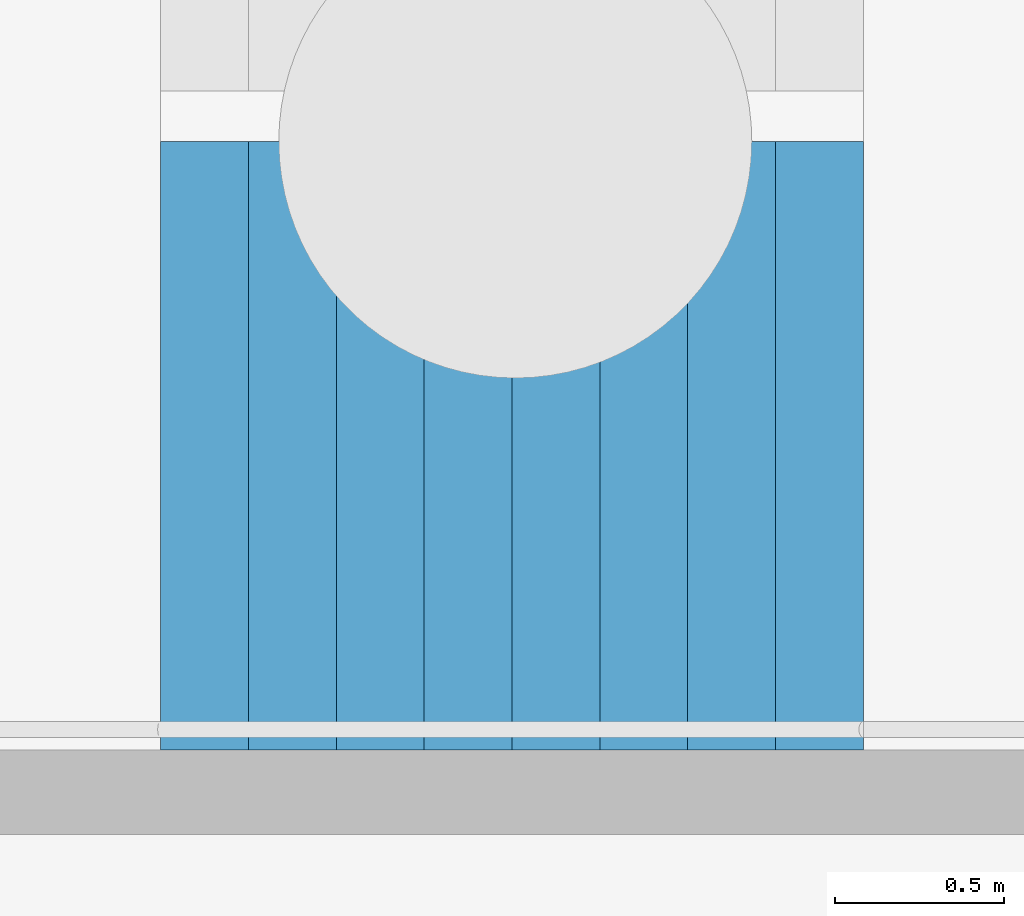
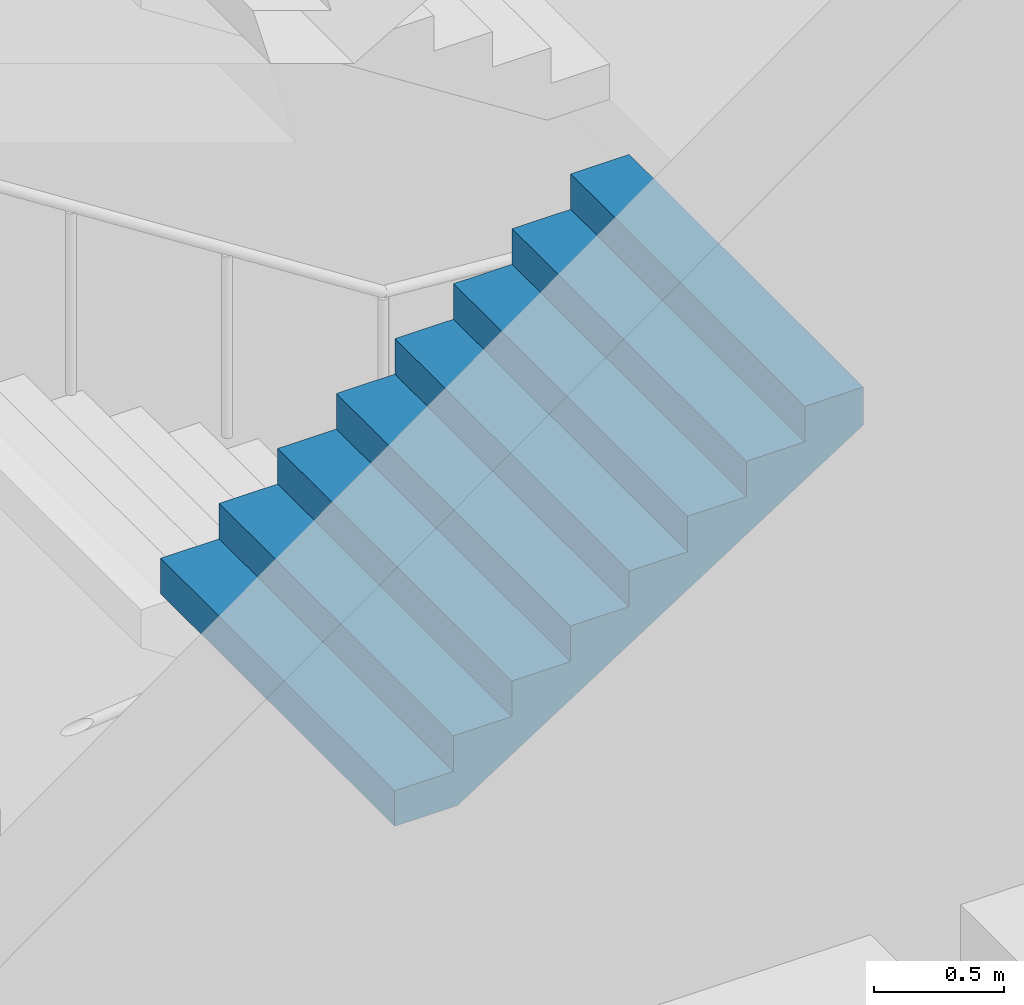
# One storey, part 59 of 113: 1 stair flight, 1 element without a shape of its own.
"""IFC4 building model written with IfcOpenShell, lengths in metres."""

import ifcopenshell
import ifcopenshell.guid

model = None  # the IFC model being written
_history = None  # IfcOwnerHistory: only IFC2X3 demands one
_inside = {}  # id of a spatial element -> (the spatial element, [elements in it])
_under = {}  # id of a project, library or spatial element -> (it, [spatial elements below it])
_declared = {}  # id of a project -> (the project, [libraries it declares])
_typed = {}  # id of a type object -> (the type object, [elements of that type])
_made_of = {}  # id of a material, layer set ... -> (it, [elements and type objects made of it])


def new_model(schema):
    """Start an empty IFC model of exactly this schema.

    Asked for "IFC4X3", IfcOpenShell would pick the latest addendum, in which some entities
    have other attributes; the version numbers below select the first issue.
    IFC2X3 requires an IfcOwnerHistory on every rooted entity: one is made here for all.
    """
    global model, _history
    if schema == "IFC4X3":
        model = ifcopenshell.file(schema_version=(4, 3, 0, 0))
    else:
        model = ifcopenshell.file(schema=schema)
    _inside.clear()
    _under.clear()
    _declared.clear()
    _typed.clear()
    _made_of.clear()
    _history = None
    if model.schema == "IFC2X3":
        org = make("IfcOrganization", Name="unknown")
        user = make(
            "IfcPersonAndOrganization",
            ThePerson=make("IfcPerson", FamilyName="unknown"),
            TheOrganization=org,
        )
        app = make(
            "IfcApplication",
            ApplicationDeveloper=org,
            Version="unknown",
            ApplicationFullName="unknown",
            ApplicationIdentifier="unknown",
        )
        _history = make(
            "IfcOwnerHistory",
            OwningUser=user,
            OwningApplication=app,
            ChangeAction="ADDED",
            CreationDate=0,
        )
    return model


def make(cls, **values):
    """One entity of the class cls with the attributes given. An attribute that is None is left unset."""
    return model.create_entity(
        cls, **{name: value for name, value in values.items() if value is not None}
    )


def rooted(cls, **values):
    """An entity with a GlobalId (a new one), such as an element, a storey or a relation."""
    return make(cls, GlobalId=ifcopenshell.guid.new(), OwnerHistory=_history, **values)


def si_unit(unit_type, name, prefix=None):
    """IfcSIUnit, for example si_unit("LENGTHUNIT", "METRE", prefix="MILLI")."""
    return make("IfcSIUnit", UnitType=unit_type, Prefix=prefix, Name=name)


def assignment(units):
    """IfcUnitAssignment: the units of a project."""
    return None if units is None else make("IfcUnitAssignment", Units=units)


def point(xyz):
    """IfcCartesianPoint."""
    return None if xyz is None else make("IfcCartesianPoint", Coordinates=xyz)


def direction(xyz):
    """IfcDirection."""
    return None if xyz is None else make("IfcDirection", DirectionRatios=xyz)


def frame(location, z_axis=None, x_axis=None):
    """IfcAxis2Placement3D, a coordinate frame: its origin and axes. An axis left out is left unset."""
    return make(
        "IfcAxis2Placement3D",
        Location=point(location),
        Axis=direction(z_axis),
        RefDirection=direction(x_axis),
    )


def origin():
    """The frame at (0, 0, 0) with its axes left unset."""
    return frame((0.0, 0.0, 0.0))


def place(relative_to, where):
    """IfcLocalPlacement: puts the frame where relative to a parent placement (None: the world)."""
    return make(
        "IfcLocalPlacement", PlacementRelTo=relative_to, RelativePlacement=where
    )


def context(
    kind, dimensions, precision=None, world=None, true_north=None, identifier=None
):
    """IfcGeometricRepresentationContext, for example the 3D "Model" context."""
    return make(
        "IfcGeometricRepresentationContext",
        ContextIdentifier=identifier,
        ContextType=kind,
        CoordinateSpaceDimension=dimensions,
        Precision=precision,
        WorldCoordinateSystem=world,
        TrueNorth=true_north,
    )


def subcontext(parent, identifier, kind, view, scale=None):
    """IfcGeometricRepresentationSubContext, for example "Body" below "Model"."""
    return make(
        "IfcGeometricRepresentationSubContext",
        ContextIdentifier=identifier,
        ContextType=kind,
        ParentContext=parent,
        TargetScale=scale,
        TargetView=view,
    )


def project(units=None, contexts=None):
    """IfcProject with its units and contexts."""
    return rooted(
        "IfcProject",
        Name="project",
        RepresentationContexts=contexts,
        UnitsInContext=assignment(units),
    )


def spatial(cls, under=None, at=None, **own):
    """A site, building, storey or space (cls), placed at a placement, below another one or the project."""
    s = rooted(cls, ObjectPlacement=at, **own)
    if under is not None:
        _under.setdefault(under.id(), (under, []))[1].append(s)
    return s


def point_list(points):
    """IfcCartesianPointList2D or 3D."""
    cls = (
        "IfcCartesianPointList2D" if len(points[0]) == 2 else "IfcCartesianPointList3D"
    )
    return make(cls, CoordList=points)


def triangles(points, corners, closed=None, point_numbers=None):
    """IfcTriangulatedFaceSet: each triangle names its three corners, points numbered from 1."""
    return make(
        "IfcTriangulatedFaceSet",
        Coordinates=point_list(points),
        Closed=closed,
        CoordIndex=corners,
        PnIndex=point_numbers,
    )


def shape(context_of_items, identifier, shape_type, items):
    """IfcShapeRepresentation: the items that make up one representation, for example the "Body"."""
    return make(
        "IfcShapeRepresentation",
        ContextOfItems=context_of_items,
        RepresentationIdentifier=identifier,
        RepresentationType=shape_type,
        Items=items,
    )


def material(Name=None, Category=None):
    """IfcMaterial."""
    return make("IfcMaterial", Name=Name, Category=Category)


def made_of(thing, what):
    """Note that an element or type object is made of a material, layer set ...; save() writes the relation."""
    if what is not None:
        _made_of.setdefault(what.id(), (what, []))[1].append(thing)
    return thing


def type_object(cls, material=None, **own):
    """A type object (cls), such as IfcWallType, which elements share."""
    return made_of(rooted(cls, **own), material)


def element(
    cls,
    number,
    at=None,
    inside=None,
    cuts=None,
    type_object=None,
    material=None,
    context=None,
    identifier="Body",
    shape_type=None,
    held_by="IfcProductDefinitionShape",
    body=None,
    shapes=None,
    **own,
):
    """One element of the class cls, such as IfcWall. Its Tag is "e" and its number.

    at: its placement. inside: the storey or other place that contains it. cuts: it is an
    opening in that element (IfcRelVoidsElement). A single representation is given by context,
    identifier, shape_type and body (its items); several are given by shapes. held_by: the class
    of the entity that holds the representations. save() writes the other relations.
    """
    e = rooted(cls, Tag="e%d" % number, ObjectPlacement=at, **own)
    if body is not None:
        shapes = [shape(context, identifier, shape_type, body)]
    if shapes is not None:
        e.Representation = make(held_by, Representations=shapes)
    if inside is not None:
        _inside.setdefault(inside.id(), (inside, []))[1].append(e)
    if cuts is not None:
        rooted(
            "IfcRelVoidsElement", RelatingBuildingElement=cuts, RelatedOpeningElement=e
        )
    if type_object is not None:
        _typed.setdefault(type_object.id(), (type_object, []))[1].append(e)
    return made_of(e, material)


def aggregate(whole, parts):
    """IfcRelAggregates: a whole, such as a stair, and the parts it consists of."""
    return rooted("IfcRelAggregates", RelatingObject=whole, RelatedObjects=parts)


def save(model, path):
    """Write the relations noted so far, then the file.

    IfcRelAggregates (storeys below a building ...), IfcRelContainedInSpatialStructure (elements
    in a storey), IfcRelDefinesByType, IfcRelAssociatesMaterial and IfcRelDeclares: one each for
    every whole, place, type object, material and project.
    """
    for whole, parts in _under.values():
        aggregate(whole, parts)
    for where, things in _inside.values():
        rooted(
            "IfcRelContainedInSpatialStructure",
            RelatedElements=things,
            RelatingStructure=where,
        )
    for kind, things in _typed.values():
        rooted("IfcRelDefinesByType", RelatedObjects=things, RelatingType=kind)
    for what, things in _made_of.values():
        rooted("IfcRelAssociatesMaterial", RelatedObjects=things, RelatingMaterial=what)
    for by, libraries in _declared.values():
        rooted("IfcRelDeclares", RelatingContext=by, RelatedDefinitions=libraries)
    model.write(path)


model = new_model("IFC4")

# Units and contexts
model_context = context("Model", 3, precision=1e-05, world=origin(), true_north=direction((0.0, 1.0)))
body_context = subcontext(model_context, "Body", "Model", "MODEL_VIEW")
ifc_project = project(units=[si_unit("LENGTHUNIT", "METRE"), si_unit("AREAUNIT", "SQUARE_METRE"), si_unit("VOLUMEUNIT", "CUBIC_METRE"), si_unit("PLANEANGLEUNIT", "RADIAN"), si_unit("MASSUNIT", "GRAM", prefix="KILO")], contexts=[model_context])

# Site, building, storey
site_placement = place(None, origin())
site = spatial("IfcSite", under=ifc_project, at=site_placement, CompositionType="ELEMENT")
building_placement = place(site_placement, origin())
building = spatial("IfcBuilding", under=site, at=building_placement, Name="Hakoniwa Tower and Hamabe Station Hall", CompositionType="ELEMENT")
storey_placement = place(building_placement, origin())
storey = spatial("IfcBuildingStorey", under=building, at=storey_placement, Name="L01", CompositionType="ELEMENT", Elevation=0.0)

# Stair, stair flight
ifc_material_1 = material(Name="Concrete C40", Category="concrete")
stair_type = type_object("IfcStairType", Name="ESCAPE STAIR 1800", PredefinedType="HALF_TURN_STAIR", material=ifc_material_1)
stair_placement = place(storey_placement, origin())
stair = element("IfcStair", 1, at=stair_placement, inside=storey, type_object=stair_type, Name="Escape stair ST-1 L01", PredefinedType="HALF_TURN_STAIR")
ifc_material_2 = material(Name="Concrete C40", Category="concrete")
stair_flight_type = type_object("IfcStairFlightType", Name="STAIR FLIGHT 1800", PredefinedType="STRAIGHT", material=ifc_material_2)
stair_flight_placement = place(storey_placement, frame((-24.39990234375, 4.64990234375, 3.0), z_axis=(0.0, 0.0, 1.0), x_axis=(1.0, 0.0, 0.0)))
stair_flight = element("IfcStairFlight", 2, at=stair_flight_placement, type_object=stair_flight_type, Name="ST-1 flight 3", NumberOfRisers=9, NumberOfTreads=8, PredefinedType="STRAIGHT", RiserHeight=0.166666667, TreadLength=0.26, context=body_context, shape_type="Tessellation", body=[
    triangles([(0.0, 0.89990234375, 0.0), (0.260009765625, 0.89990234375, 0.0), (0.27783203125, 0.89990234375, 0.0), (0.52001953125, 0.89990234375, 0.1552734375), (0.780029296875, 0.89990234375, 0.322021484375), (1.0400390625, 0.89990234375, 0.488525390625), (1.300048828125, 0.89990234375, 0.6552734375), (1.56005859375, 0.89990234375, 0.822021484375), (1.820068359375, 0.89990234375, 0.988525390625), (2.080078125, 0.89990234375, 1.1552734375), (2.080078125, 0.89990234375, 1.333251953125), (1.820068359375, 0.89990234375, 1.333251953125), (1.820068359375, 0.89990234375, 1.166748046875), (1.56005859375, 0.89990234375, 1.166748046875), (1.56005859375, 0.89990234375, 1.0), (1.300048828125, 0.89990234375, 1.0), (1.300048828125, 0.89990234375, 0.833251953125), (1.0400390625, 0.89990234375, 0.833251953125), (1.0400390625, 0.89990234375, 0.666748046875), (0.780029296875, 0.89990234375, 0.666748046875), (0.780029296875, 0.89990234375, 0.5), (0.52001953125, 0.89990234375, 0.5), (0.52001953125, 0.89990234375, 0.333251953125), (0.27783203125, 0.89990234375, 0.333251953125), (0.260009765625, 0.89990234375, 0.333251953125), (0.260009765625, 0.89990234375, 0.166748046875), (0.0, 0.89990234375, 0.166748046875), (0.0, 0.06005859375, 0.0), (0.260009765625, 0.06005859375, 0.0), (0.27783203125, 0.06005859375, 0.0), (0.52001953125, 0.06005859375, 0.1552734375), (0.780029296875, 0.06005859375, 0.322021484375), (1.0400390625, 0.06005859375, 0.488525390625), (1.300048828125, 0.06005859375, 0.6552734375), (1.56005859375, 0.06005859375, 0.822021484375), (1.820068359375, 0.06005859375, 0.988525390625), (2.080078125, 0.06005859375, 1.1552734375), (2.080078125, 0.06005859375, 1.333251953125), (1.820068359375, 0.06005859375, 1.333251953125), (1.820068359375, 0.06005859375, 1.166748046875), (1.56005859375, 0.06005859375, 1.166748046875), (1.56005859375, 0.06005859375, 1.0), (1.300048828125, 0.06005859375, 1.0), (1.300048828125, 0.06005859375, 0.833251953125), (1.0400390625, 0.06005859375, 0.833251953125), (1.0400390625, 0.06005859375, 0.666748046875), (0.780029296875, 0.06005859375, 0.666748046875), (0.780029296875, 0.06005859375, 0.5), (0.52001953125, 0.06005859375, 0.5), (0.52001953125, 0.06005859375, 0.333251953125), (0.27783203125, 0.06005859375, 0.333251953125), (0.260009765625, 0.06005859375, 0.333251953125), (0.260009765625, 0.06005859375, 0.166748046875), (0.0, 0.06005859375, 0.166748046875), (0.0, 0.04296875, 0.0), (0.260009765625, 0.04296875, 0.0), (0.27783203125, 0.04296875, 0.0), (0.52001953125, 0.04296875, 0.1552734375), (0.780029296875, 0.04296875, 0.322021484375), (1.0400390625, 0.04296875, 0.488525390625), (1.300048828125, 0.04296875, 0.6552734375), (1.56005859375, 0.04296875, 0.822021484375), (1.820068359375, 0.04296875, 0.988525390625), (2.080078125, 0.04296875, 1.1552734375), (2.080078125, 0.04296875, 1.333251953125), (1.820068359375, 0.04296875, 1.333251953125), (1.820068359375, 0.04296875, 1.166748046875), (1.56005859375, 0.04296875, 1.166748046875), (1.56005859375, 0.04296875, 1.0), (1.300048828125, 0.04296875, 1.0), (1.300048828125, 0.04296875, 0.833251953125), (1.0400390625, 0.04296875, 0.833251953125), (1.0400390625, 0.04296875, 0.666748046875), (0.780029296875, 0.04296875, 0.666748046875), (0.780029296875, 0.04296875, 0.5), (0.52001953125, 0.04296875, 0.5), (0.52001953125, 0.04296875, 0.333251953125), (0.27783203125, 0.04296875, 0.333251953125), (0.260009765625, 0.04296875, 0.333251953125), (0.260009765625, 0.04296875, 0.166748046875), (0.0, 0.04296875, 0.166748046875), (0.0, 0.025634765625, 0.0), (0.260009765625, 0.025634765625, 0.0), (0.27783203125, 0.025634765625, 0.0), (0.52001953125, 0.025634765625, 0.1552734375), (0.780029296875, 0.025634765625, 0.322021484375), (1.0400390625, 0.025634765625, 0.488525390625), (1.300048828125, 0.025634765625, 0.6552734375), (1.56005859375, 0.025634765625, 0.822021484375), (1.820068359375, 0.025634765625, 0.988525390625), (2.080078125, 0.025634765625, 1.1552734375), (2.080078125, 0.025634765625, 1.333251953125), (1.820068359375, 0.025634765625, 1.333251953125), (1.820068359375, 0.025634765625, 1.166748046875), (1.56005859375, 0.025634765625, 1.166748046875), (1.56005859375, 0.025634765625, 1.0), (1.300048828125, 0.025634765625, 1.0), (1.300048828125, 0.025634765625, 0.833251953125), (1.0400390625, 0.025634765625, 0.833251953125), (1.0400390625, 0.025634765625, 0.666748046875), (0.780029296875, 0.025634765625, 0.666748046875), (0.780029296875, 0.025634765625, 0.5), (0.52001953125, 0.025634765625, 0.5), (0.52001953125, 0.025634765625, 0.333251953125), (0.27783203125, 0.025634765625, 0.333251953125), (0.260009765625, 0.025634765625, 0.333251953125), (0.260009765625, 0.025634765625, 0.166748046875), (0.0, 0.025634765625, 0.166748046875), (0.0, 0.008544921875, 0.0), (0.260009765625, 0.008544921875, 0.0), (0.27783203125, 0.008544921875, 0.0), (0.52001953125, 0.008544921875, 0.1552734375), (0.780029296875, 0.008544921875, 0.322021484375), (1.0400390625, 0.008544921875, 0.488525390625), (1.300048828125, 0.008544921875, 0.6552734375), (1.56005859375, 0.008544921875, 0.822021484375), (1.820068359375, 0.008544921875, 0.988525390625), (2.080078125, 0.008544921875, 1.1552734375), (2.080078125, 0.008544921875, 1.333251953125), (1.820068359375, 0.008544921875, 1.333251953125), (1.820068359375, 0.008544921875, 1.166748046875), (1.56005859375, 0.008544921875, 1.166748046875), (1.56005859375, 0.008544921875, 1.0), (1.300048828125, 0.008544921875, 1.0), (1.300048828125, 0.008544921875, 0.833251953125), (1.0400390625, 0.008544921875, 0.833251953125), (1.0400390625, 0.008544921875, 0.666748046875), (0.780029296875, 0.008544921875, 0.666748046875), (0.780029296875, 0.008544921875, 0.5), (0.52001953125, 0.008544921875, 0.5), (0.52001953125, 0.008544921875, 0.333251953125), (0.27783203125, 0.008544921875, 0.333251953125), (0.260009765625, 0.008544921875, 0.333251953125), (0.260009765625, 0.008544921875, 0.166748046875), (0.0, 0.008544921875, 0.166748046875), (0.0, -0.008544921875, 0.0), (0.260009765625, -0.008544921875, 0.0), (0.27783203125, -0.008544921875, 0.0), (0.52001953125, -0.008544921875, 0.1552734375), (0.780029296875, -0.008544921875, 0.322021484375), (1.0400390625, -0.008544921875, 0.488525390625), (1.300048828125, -0.008544921875, 0.6552734375), (1.56005859375, -0.008544921875, 0.822021484375), (1.820068359375, -0.008544921875, 0.988525390625), (2.080078125, -0.008544921875, 1.1552734375), (2.080078125, -0.008544921875, 1.333251953125), (1.820068359375, -0.008544921875, 1.333251953125), (1.820068359375, -0.008544921875, 1.166748046875), (1.56005859375, -0.008544921875, 1.166748046875), (1.56005859375, -0.008544921875, 1.0), (1.300048828125, -0.008544921875, 1.0), (1.300048828125, -0.008544921875, 0.833251953125), (1.0400390625, -0.008544921875, 0.833251953125), (1.0400390625, -0.008544921875, 0.666748046875), (0.780029296875, -0.008544921875, 0.666748046875), (0.780029296875, -0.008544921875, 0.5), (0.52001953125, -0.008544921875, 0.5), (0.52001953125, -0.008544921875, 0.333251953125), (0.27783203125, -0.008544921875, 0.333251953125), (0.260009765625, -0.008544921875, 0.333251953125), (0.260009765625, -0.008544921875, 0.166748046875), (0.0, -0.008544921875, 0.166748046875), (0.0, -0.025634765625, 0.0), (0.260009765625, -0.025634765625, 0.0), (0.27783203125, -0.025634765625, 0.0), (0.52001953125, -0.025634765625, 0.1552734375), (0.780029296875, -0.025634765625, 0.322021484375), (1.0400390625, -0.025634765625, 0.488525390625), (1.300048828125, -0.025634765625, 0.6552734375), (1.56005859375, -0.025634765625, 0.822021484375), (1.820068359375, -0.025634765625, 0.988525390625), (2.080078125, -0.025634765625, 1.1552734375), (2.080078125, -0.025634765625, 1.333251953125), (1.820068359375, -0.025634765625, 1.333251953125), (1.820068359375, -0.025634765625, 1.166748046875), (1.56005859375, -0.025634765625, 1.166748046875), (1.56005859375, -0.025634765625, 1.0), (1.300048828125, -0.025634765625, 1.0), (1.300048828125, -0.025634765625, 0.833251953125), (1.0400390625, -0.025634765625, 0.833251953125), (1.0400390625, -0.025634765625, 0.666748046875), (0.780029296875, -0.025634765625, 0.666748046875), (0.780029296875, -0.025634765625, 0.5), (0.52001953125, -0.025634765625, 0.5), (0.52001953125, -0.025634765625, 0.333251953125), (0.27783203125, -0.025634765625, 0.333251953125), (0.260009765625, -0.025634765625, 0.333251953125), (0.260009765625, -0.025634765625, 0.166748046875), (0.0, -0.025634765625, 0.166748046875), (0.0, -0.04296875, 0.0), (0.260009765625, -0.04296875, 0.0), (0.27783203125, -0.04296875, 0.0), (0.52001953125, -0.04296875, 0.1552734375), (0.780029296875, -0.04296875, 0.322021484375), (1.0400390625, -0.04296875, 0.488525390625), (1.300048828125, -0.04296875, 0.6552734375), (1.56005859375, -0.04296875, 0.822021484375), (1.820068359375, -0.04296875, 0.988525390625), (2.080078125, -0.04296875, 1.1552734375), (2.080078125, -0.04296875, 1.333251953125), (1.820068359375, -0.04296875, 1.333251953125), (1.820068359375, -0.04296875, 1.166748046875), (1.56005859375, -0.04296875, 1.166748046875), (1.56005859375, -0.04296875, 1.0), (1.300048828125, -0.04296875, 1.0), (1.300048828125, -0.04296875, 0.833251953125), (1.0400390625, -0.04296875, 0.833251953125), (1.0400390625, -0.04296875, 0.666748046875), (0.780029296875, -0.04296875, 0.666748046875), (0.780029296875, -0.04296875, 0.5), (0.52001953125, -0.04296875, 0.5), (0.52001953125, -0.04296875, 0.333251953125), (0.27783203125, -0.04296875, 0.333251953125), (0.260009765625, -0.04296875, 0.333251953125), (0.260009765625, -0.04296875, 0.166748046875), (0.0, -0.04296875, 0.166748046875), (0.0, -0.06005859375, 0.0), (0.260009765625, -0.06005859375, 0.0), (0.27783203125, -0.06005859375, 0.0), (0.52001953125, -0.06005859375, 0.1552734375), (0.780029296875, -0.06005859375, 0.322021484375), (1.0400390625, -0.06005859375, 0.488525390625), (1.300048828125, -0.06005859375, 0.6552734375), (1.56005859375, -0.06005859375, 0.822021484375), (1.820068359375, -0.06005859375, 0.988525390625), (2.080078125, -0.06005859375, 1.1552734375), (2.080078125, -0.06005859375, 1.333251953125), (1.820068359375, -0.06005859375, 1.333251953125), (1.820068359375, -0.06005859375, 1.166748046875), (1.56005859375, -0.06005859375, 1.166748046875), (1.56005859375, -0.06005859375, 1.0), (1.300048828125, -0.06005859375, 1.0), (1.300048828125, -0.06005859375, 0.833251953125), (1.0400390625, -0.06005859375, 0.833251953125), (1.0400390625, -0.06005859375, 0.666748046875), (0.780029296875, -0.06005859375, 0.666748046875), (0.780029296875, -0.06005859375, 0.5), (0.52001953125, -0.06005859375, 0.5), (0.52001953125, -0.06005859375, 0.333251953125), (0.27783203125, -0.06005859375, 0.333251953125), (0.260009765625, -0.06005859375, 0.333251953125), (0.260009765625, -0.06005859375, 0.166748046875), (0.0, -0.06005859375, 0.166748046875), (0.0, -0.89990234375, 0.0), (0.260009765625, -0.89990234375, 0.0), (0.27783203125, -0.89990234375, 0.0), (0.52001953125, -0.89990234375, 0.1552734375), (0.780029296875, -0.89990234375, 0.322021484375), (1.0400390625, -0.89990234375, 0.488525390625), (1.300048828125, -0.89990234375, 0.6552734375), (1.56005859375, -0.89990234375, 0.822021484375), (1.820068359375, -0.89990234375, 0.988525390625), (2.080078125, -0.89990234375, 1.1552734375), (2.080078125, -0.89990234375, 1.333251953125), (1.820068359375, -0.89990234375, 1.333251953125), (1.820068359375, -0.89990234375, 1.166748046875), (1.56005859375, -0.89990234375, 1.166748046875), (1.56005859375, -0.89990234375, 1.0), (1.300048828125, -0.89990234375, 1.0), (1.300048828125, -0.89990234375, 0.833251953125), (1.0400390625, -0.89990234375, 0.833251953125), (1.0400390625, -0.89990234375, 0.666748046875), (0.780029296875, -0.89990234375, 0.666748046875), (0.780029296875, -0.89990234375, 0.5), (0.52001953125, -0.89990234375, 0.5), (0.52001953125, -0.89990234375, 0.333251953125), (0.27783203125, -0.89990234375, 0.333251953125), (0.260009765625, -0.89990234375, 0.333251953125), (0.260009765625, -0.89990234375, 0.166748046875), (0.0, -0.89990234375, 0.166748046875)], [[2, 27, 26], [245, 269, 270], [2, 1, 27], [245, 270, 244], [3, 25, 24], [246, 267, 268], [3, 26, 25], [246, 268, 269], [3, 2, 26], [246, 269, 245], [4, 24, 23], [247, 266, 267], [4, 3, 24], [247, 267, 246], [5, 22, 21], [248, 264, 265], [5, 23, 22], [248, 265, 266], [5, 4, 23], [248, 266, 247], [6, 20, 19], [249, 262, 263], [6, 21, 20], [249, 263, 264], [6, 5, 21], [249, 264, 248], [7, 18, 17], [250, 260, 261], [7, 19, 18], [250, 261, 262], [7, 6, 19], [250, 262, 249], [8, 16, 15], [251, 258, 259], [8, 17, 16], [251, 259, 260], [8, 7, 17], [251, 260, 250], [9, 14, 13], [252, 256, 257], [9, 15, 14], [252, 257, 258], [9, 8, 15], [252, 258, 251], [10, 12, 11], [253, 254, 255], [10, 13, 12], [253, 255, 256], [10, 9, 13], [253, 256, 252], [1, 2, 29], [1, 29, 28], [28, 29, 56], [28, 56, 55], [55, 56, 83], [55, 83, 82], [82, 83, 110], [82, 110, 109], [109, 110, 137], [109, 137, 136], [136, 137, 164], [136, 164, 163], [163, 164, 191], [163, 191, 190], [190, 191, 218], [190, 218, 217], [217, 218, 245], [217, 245, 244], [2, 3, 30], [2, 30, 29], [29, 30, 57], [29, 57, 56], [56, 57, 84], [56, 84, 83], [83, 84, 111], [83, 111, 110], [110, 111, 138], [110, 138, 137], [137, 138, 165], [137, 165, 164], [164, 165, 192], [164, 192, 191], [191, 192, 219], [191, 219, 218], [218, 219, 246], [218, 246, 245], [3, 4, 31], [3, 31, 30], [30, 31, 58], [30, 58, 57], [57, 58, 85], [57, 85, 84], [84, 85, 112], [84, 112, 111], [111, 112, 139], [111, 139, 138], [138, 139, 166], [138, 166, 165], [165, 166, 193], [165, 193, 192], [192, 193, 220], [192, 220, 219], [219, 220, 247], [219, 247, 246], [4, 5, 32], [4, 32, 31], [31, 32, 59], [31, 59, 58], [58, 59, 86], [58, 86, 85], [85, 86, 113], [85, 113, 112], [112, 113, 140], [112, 140, 139], [139, 140, 167], [139, 167, 166], [166, 167, 194], [166, 194, 193], [193, 194, 221], [193, 221, 220], [220, 221, 248], [220, 248, 247], [5, 6, 33], [5, 33, 32], [32, 33, 60], [32, 60, 59], [59, 60, 87], [59, 87, 86], [86, 87, 114], [86, 114, 113], [113, 114, 141], [113, 141, 140], [140, 141, 168], [140, 168, 167], [167, 168, 195], [167, 195, 194], [194, 195, 222], [194, 222, 221], [221, 222, 249], [221, 249, 248], [6, 7, 34], [6, 34, 33], [33, 34, 61], [33, 61, 60], [60, 61, 88], [60, 88, 87], [87, 88, 115], [87, 115, 114], [114, 115, 142], [114, 142, 141], [141, 142, 169], [141, 169, 168], [168, 169, 196], [168, 196, 195], [195, 196, 223], [195, 223, 222], [222, 223, 250], [222, 250, 249], [7, 8, 35], [7, 35, 34], [34, 35, 62], [34, 62, 61], [61, 62, 89], [61, 89, 88], [88, 89, 116], [88, 116, 115], [115, 116, 143], [115, 143, 142], [142, 143, 170], [142, 170, 169], [169, 170, 197], [169, 197, 196], [196, 197, 224], [196, 224, 223], [223, 224, 251], [223, 251, 250], [8, 9, 36], [8, 36, 35], [35, 36, 63], [35, 63, 62], [62, 63, 90], [62, 90, 89], [89, 90, 117], [89, 117, 116], [116, 117, 144], [116, 144, 143], [143, 144, 171], [143, 171, 170], [170, 171, 198], [170, 198, 197], [197, 198, 225], [197, 225, 224], [224, 225, 252], [224, 252, 251], [9, 10, 37], [9, 37, 36], [36, 37, 64], [36, 64, 63], [63, 64, 91], [63, 91, 90], [90, 91, 118], [90, 118, 117], [117, 118, 145], [117, 145, 144], [144, 145, 172], [144, 172, 171], [171, 172, 199], [171, 199, 198], [198, 199, 226], [198, 226, 225], [225, 226, 253], [225, 253, 252], [10, 11, 38], [10, 38, 37], [37, 38, 65], [37, 65, 64], [64, 65, 92], [64, 92, 91], [91, 92, 119], [91, 119, 118], [118, 119, 146], [118, 146, 145], [145, 146, 173], [145, 173, 172], [172, 173, 200], [172, 200, 199], [199, 200, 227], [199, 227, 226], [226, 227, 254], [226, 254, 253], [11, 12, 39], [11, 39, 38], [38, 39, 66], [38, 66, 65], [65, 66, 93], [65, 93, 92], [92, 93, 120], [92, 120, 119], [119, 120, 147], [119, 147, 146], [146, 147, 174], [146, 174, 173], [173, 174, 201], [173, 201, 200], [200, 201, 228], [200, 228, 227], [227, 228, 255], [227, 255, 254], [12, 13, 40], [12, 40, 39], [39, 40, 67], [39, 67, 66], [66, 67, 94], [66, 94, 93], [93, 94, 121], [93, 121, 120], [120, 121, 148], [120, 148, 147], [147, 148, 175], [147, 175, 174], [174, 175, 202], [174, 202, 201], [201, 202, 229], [201, 229, 228], [228, 229, 256], [228, 256, 255], [13, 14, 41], [13, 41, 40], [40, 41, 68], [40, 68, 67], [67, 68, 95], [67, 95, 94], [94, 95, 122], [94, 122, 121], [121, 122, 149], [121, 149, 148], [148, 149, 176], [148, 176, 175], [175, 176, 203], [175, 203, 202], [202, 203, 230], [202, 230, 229], [229, 230, 257], [229, 257, 256], [14, 15, 42], [14, 42, 41], [41, 42, 69], [41, 69, 68], [68, 69, 96], [68, 96, 95], [95, 96, 123], [95, 123, 122], [122, 123, 150], [122, 150, 149], [149, 150, 177], [149, 177, 176], [176, 177, 204], [176, 204, 203], [203, 204, 231], [203, 231, 230], [230, 231, 258], [230, 258, 257], [15, 16, 43], [15, 43, 42], [42, 43, 70], [42, 70, 69], [69, 70, 97], [69, 97, 96], [96, 97, 124], [96, 124, 123], [123, 124, 151], [123, 151, 150], [150, 151, 178], [150, 178, 177], [177, 178, 205], [177, 205, 204], [204, 205, 232], [204, 232, 231], [231, 232, 259], [231, 259, 258], [16, 17, 44], [16, 44, 43], [43, 44, 71], [43, 71, 70], [70, 71, 98], [70, 98, 97], [97, 98, 125], [97, 125, 124], [124, 125, 152], [124, 152, 151], [151, 152, 179], [151, 179, 178], [178, 179, 206], [178, 206, 205], [205, 206, 233], [205, 233, 232], [232, 233, 260], [232, 260, 259], [17, 18, 45], [17, 45, 44], [44, 45, 72], [44, 72, 71], [71, 72, 99], [71, 99, 98], [98, 99, 126], [98, 126, 125], [125, 126, 153], [125, 153, 152], [152, 153, 180], [152, 180, 179], [179, 180, 207], [179, 207, 206], [206, 207, 234], [206, 234, 233], [233, 234, 261], [233, 261, 260], [18, 19, 46], [18, 46, 45], [45, 46, 73], [45, 73, 72], [72, 73, 100], [72, 100, 99], [99, 100, 127], [99, 127, 126], [126, 127, 154], [126, 154, 153], [153, 154, 181], [153, 181, 180], [180, 181, 208], [180, 208, 207], [207, 208, 235], [207, 235, 234], [234, 235, 262], [234, 262, 261], [19, 20, 47], [19, 47, 46], [46, 47, 74], [46, 74, 73], [73, 74, 101], [73, 101, 100], [100, 101, 128], [100, 128, 127], [127, 128, 155], [127, 155, 154], [154, 155, 182], [154, 182, 181], [181, 182, 209], [181, 209, 208], [208, 209, 236], [208, 236, 235], [235, 236, 263], [235, 263, 262], [20, 21, 48], [20, 48, 47], [47, 48, 75], [47, 75, 74], [74, 75, 102], [74, 102, 101], [101, 102, 129], [101, 129, 128], [128, 129, 156], [128, 156, 155], [155, 156, 183], [155, 183, 182], [182, 183, 210], [182, 210, 209], [209, 210, 237], [209, 237, 236], [236, 237, 264], [236, 264, 263], [21, 22, 49], [21, 49, 48], [48, 49, 76], [48, 76, 75], [75, 76, 103], [75, 103, 102], [102, 103, 130], [102, 130, 129], [129, 130, 157], [129, 157, 156], [156, 157, 184], [156, 184, 183], [183, 184, 211], [183, 211, 210], [210, 211, 238], [210, 238, 237], [237, 238, 265], [237, 265, 264], [22, 23, 50], [22, 50, 49], [49, 50, 77], [49, 77, 76], [76, 77, 104], [76, 104, 103], [103, 104, 131], [103, 131, 130], [130, 131, 158], [130, 158, 157], [157, 158, 185], [157, 185, 184], [184, 185, 212], [184, 212, 211], [211, 212, 239], [211, 239, 238], [238, 239, 266], [238, 266, 265], [23, 24, 51], [23, 51, 50], [50, 51, 78], [50, 78, 77], [77, 78, 105], [77, 105, 104], [104, 105, 132], [104, 132, 131], [131, 132, 159], [131, 159, 158], [158, 159, 186], [158, 186, 185], [185, 186, 213], [185, 213, 212], [212, 213, 240], [212, 240, 239], [239, 240, 267], [239, 267, 266], [24, 25, 52], [24, 52, 51], [51, 52, 79], [51, 79, 78], [78, 79, 106], [78, 106, 105], [105, 106, 133], [105, 133, 132], [132, 133, 160], [132, 160, 159], [159, 160, 187], [159, 187, 186], [186, 187, 214], [186, 214, 213], [213, 214, 241], [213, 241, 240], [240, 241, 268], [240, 268, 267], [25, 26, 53], [25, 53, 52], [52, 53, 80], [52, 80, 79], [79, 80, 107], [79, 107, 106], [106, 107, 134], [106, 134, 133], [133, 134, 161], [133, 161, 160], [160, 161, 188], [160, 188, 187], [187, 188, 215], [187, 215, 214], [214, 215, 242], [214, 242, 241], [241, 242, 269], [241, 269, 268], [26, 27, 54], [26, 54, 53], [53, 54, 81], [53, 81, 80], [80, 81, 108], [80, 108, 107], [107, 108, 135], [107, 135, 134], [134, 135, 162], [134, 162, 161], [161, 162, 189], [161, 189, 188], [188, 189, 216], [188, 216, 215], [215, 216, 243], [215, 243, 242], [242, 243, 270], [242, 270, 269], [27, 1, 28], [27, 28, 54], [54, 28, 55], [54, 55, 81], [81, 55, 82], [81, 82, 108], [108, 82, 109], [108, 109, 135], [135, 109, 136], [135, 136, 162], [162, 136, 163], [162, 163, 189], [189, 163, 190], [189, 190, 216], [216, 190, 217], [216, 217, 243], [243, 217, 244], [243, 244, 270]], closed=True),
])
aggregate(stair, [stair_flight])

save(model, "model.ifc")
